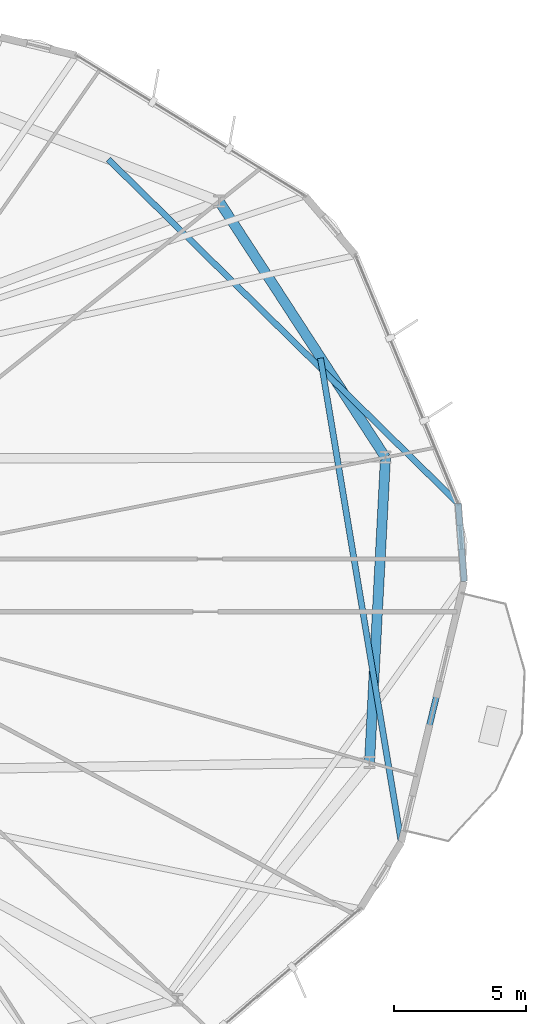
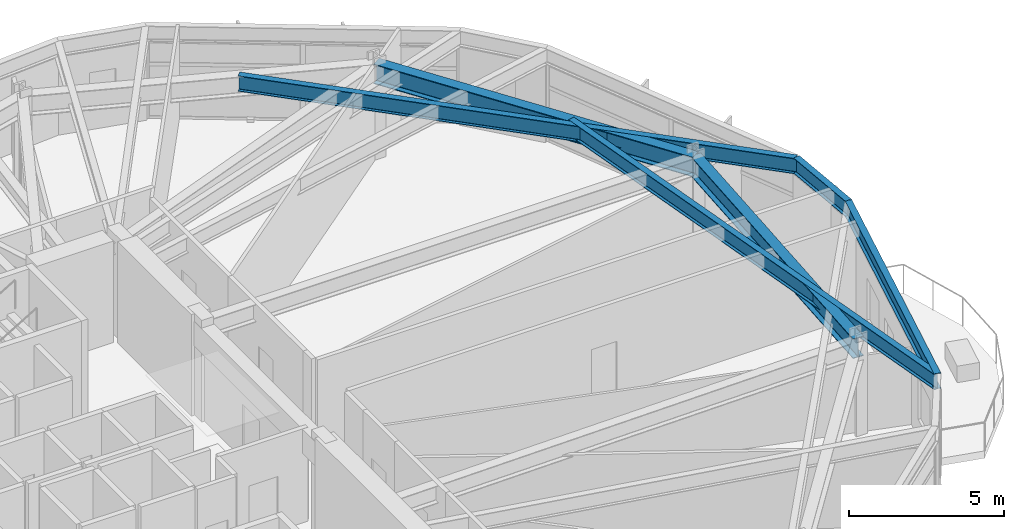
# One storey, part 10 of 22: 6 beams.
"""IFC4 building model written with IfcOpenShell, lengths in metres."""

from ifc_helpers import new_model, si_unit, direction, frame, origin, origin_2d, place, context, subcontext, project, spatial, i_section, extrude, material, material_profile, profile_set, type_object, element, save


model = new_model("IFC4")

# Units and contexts
model_context = context("Model", 3, precision=1e-05, world=origin(), true_north=direction((0.0, 1.0)))
body_context = subcontext(model_context, "Body", "Model", "MODEL_VIEW")
ifc_project = project(units=[si_unit("LENGTHUNIT", "METRE"), si_unit("AREAUNIT", "SQUARE_METRE"), si_unit("VOLUMEUNIT", "CUBIC_METRE"), si_unit("PLANEANGLEUNIT", "RADIAN"), si_unit("MASSUNIT", "GRAM", prefix="KILO")], contexts=[model_context])

# Site, building, storey
site_placement = place(None, origin())
site = spatial("IfcSite", under=ifc_project, at=site_placement, CompositionType="ELEMENT")
building_placement = place(site_placement, origin())
building = spatial("IfcBuilding", under=site, at=building_placement, Name="Soratama Intermodal Tower", CompositionType="ELEMENT")
storey_placement = place(building_placement, frame((0.0, 0.0, 50.60009765625)))
storey = spatial("IfcBuildingStorey", under=building, at=storey_placement, Name="L11", CompositionType="ELEMENT", Elevation=50.60009765625)

# Beams
ifc_material_1 = material(Name="Structural steel ASTM A992 Grade 50", Category="steel")
ifc_material_profile_1 = material_profile(ifc_material_1, i_section(OverallWidth=0.382080078125, OverallDepth=0.779052734375, WebThickness=0.01806640625, FlangeThickness=0.030029296875, FilletRadius=0.01806640625, at=origin_2d()), Name="W30X191")
ifc_profile_set_1 = profile_set([ifc_material_profile_1], Name="Structural steel ASTM A992 Grade 50")
beam_type_1 = type_object("IfcBeamType", Name="BM-RING-W30X191", PredefinedType="BEAM", material=ifc_profile_set_1)
beam_1_placement = place(storey_placement, frame((63.08203125, 29.844970703125, 3.310302734375), z_axis=(-0.544623370352, 0.838680740489, 0.0), x_axis=(-0.838680740489, -0.544623370352, 0.0)))
element("IfcBeam", 1, at=beam_1_placement, inside=storey, type_object=beam_type_1, Name="BM-L11-RING-01", PredefinedType="BEAM", context=body_context, shape_type="SweptSolid", body=[
    extrude(i_section(OverallWidth=0.382080078125, OverallDepth=0.779052734375, WebThickness=0.01806640625, FlangeThickness=0.030029296875, FilletRadius=0.01806640625, at=origin_2d()), origin(), (0.0, 0.0, 1.0), 11.569580078125),
])
beam_2_placement = place(storey_placement, frame((62.47705078125, 18.291015625, 3.310302734375), z_axis=(0.052289698717, 0.998631957935, 0.0), x_axis=(-0.998631957935, 0.052289698717, 0.0)))
element("IfcBeam", 2, at=beam_2_placement, inside=storey, type_object=beam_type_1, Name="BM-L11-RING-10", PredefinedType="BEAM", context=body_context, shape_type="SweptSolid", body=[
    extrude(i_section(OverallWidth=0.382080078125, OverallDepth=0.779052734375, WebThickness=0.01806640625, FlangeThickness=0.030029296875, FilletRadius=0.01806640625, at=origin_2d()), origin(), (0.0, 0.0, 1.0), 11.56982421875),
])
ifc_material_2 = material(Name="Structural steel ASTM A992 Grade 50", Category="steel")
ifc_material_profile_2 = material_profile(ifc_material_2, i_section(OverallWidth=0.22900390625, OverallDepth=0.612060546875, WebThickness=0.011962890625, FlangeThickness=0.01953125, FilletRadius=0.012939453125, at=origin_2d()), Name="W24X84")
ifc_profile_set_2 = profile_set([ifc_material_profile_2], Name="Structural steel ASTM A992 Grade 50")
beam_type_2 = type_object("IfcBeamType", Name="BM-SPN-W24X84", PredefinedType="SPANDREL", material=ifc_profile_set_2)
beam_3_placement = place(storey_placement, frame((63.680908203125, 15.26611328125, 3.393798828125), z_axis=(0.234434706063, 0.972131867903, 0.0), x_axis=(-0.972131867903, 0.234434706063, 0.0)))
element("IfcBeam", 3, at=beam_3_placement, inside=storey, type_object=beam_type_2, Name="BS-L11-F10", PredefinedType="SPANDREL", context=body_context, shape_type="SweptSolid", body=[
    extrude(i_section(OverallWidth=0.22900390625, OverallDepth=0.612060546875, WebThickness=0.011962890625, FlangeThickness=0.01953125, FilletRadius=0.012939453125, at=origin_2d()), origin(), (0.0, 0.0, 1.0), 10.1650390625),
])
beam_4_placement = place(storey_placement, frame((66.06396484375, 25.14794921875, 3.393798828125), z_axis=(-0.077212660033, 0.997014646397, 0.0), x_axis=(-0.997014646397, -0.077212660033, 0.0)))
element("IfcBeam", 4, at=beam_4_placement, inside=storey, type_object=beam_type_2, Name="BS-L11-CRN10", PredefinedType="SPANDREL", context=body_context, shape_type="SweptSolid", body=[
    extrude(i_section(OverallWidth=0.22900390625, OverallDepth=0.612060546875, WebThickness=0.011962890625, FlangeThickness=0.01953125, FilletRadius=0.012939453125, at=origin_2d()), origin(), (0.0, 0.0, 1.0), 2.9658203125),
])
ifc_material_3 = material(Name="Structural steel ASTM A992 Grade 50", Category="steel")
ifc_material_profile_3 = material_profile(ifc_material_3, i_section(OverallWidth=0.22900390625, OverallDepth=0.612060546875, WebThickness=0.011962890625, FlangeThickness=0.01953125, FilletRadius=0.012939453125, at=origin_2d()), Name="W24X84")
ifc_profile_set_3 = profile_set([ifc_material_profile_3], Name="Structural steel ASTM A992 Grade 50")
beam_type_3 = type_object("IfcBeamType", Name="BM-TIE-W24X84", PredefinedType="BEAM", material=ifc_profile_set_3)
beam_5_placement = place(storey_placement, frame((52.575927734375, 41.14501953125, 3.393798828125), z_axis=(0.712970188568, -0.701194345537, 0.0), x_axis=(0.701194345537, 0.712970188568, 0.0)))
element("IfcBeam", 5, at=beam_5_placement, inside=storey, type_object=beam_type_3, Name="BM-L11-TIE0-01", PredefinedType="BEAM", context=body_context, shape_type="SweptSolid", body=[
    extrude(i_section(OverallWidth=0.22900390625, OverallDepth=0.612060546875, WebThickness=0.011962890625, FlangeThickness=0.01953125, FilletRadius=0.012939453125, at=origin_2d()), origin(), (0.0, 0.0, 1.0), 18.596923828125),
])
beam_6_placement = place(storey_placement, frame((60.618896484375, 33.60888671875, 3.393798828125), z_axis=(0.164654450345, -0.986351312658, 0.0), x_axis=(0.986351312658, 0.164654450345, 0.0)))
element("IfcBeam", 6, at=beam_6_placement, inside=storey, type_object=beam_type_3, Name="BM-L11-TIE0-10", PredefinedType="BEAM", context=body_context, shape_type="SweptSolid", body=[
    extrude(i_section(OverallWidth=0.22900390625, OverallDepth=0.612060546875, WebThickness=0.011962890625, FlangeThickness=0.01953125, FilletRadius=0.012939453125, at=origin_2d()), origin(), (0.0, 0.0, 1.0), 18.5966796875),
])

save(model, "model.ifc")
